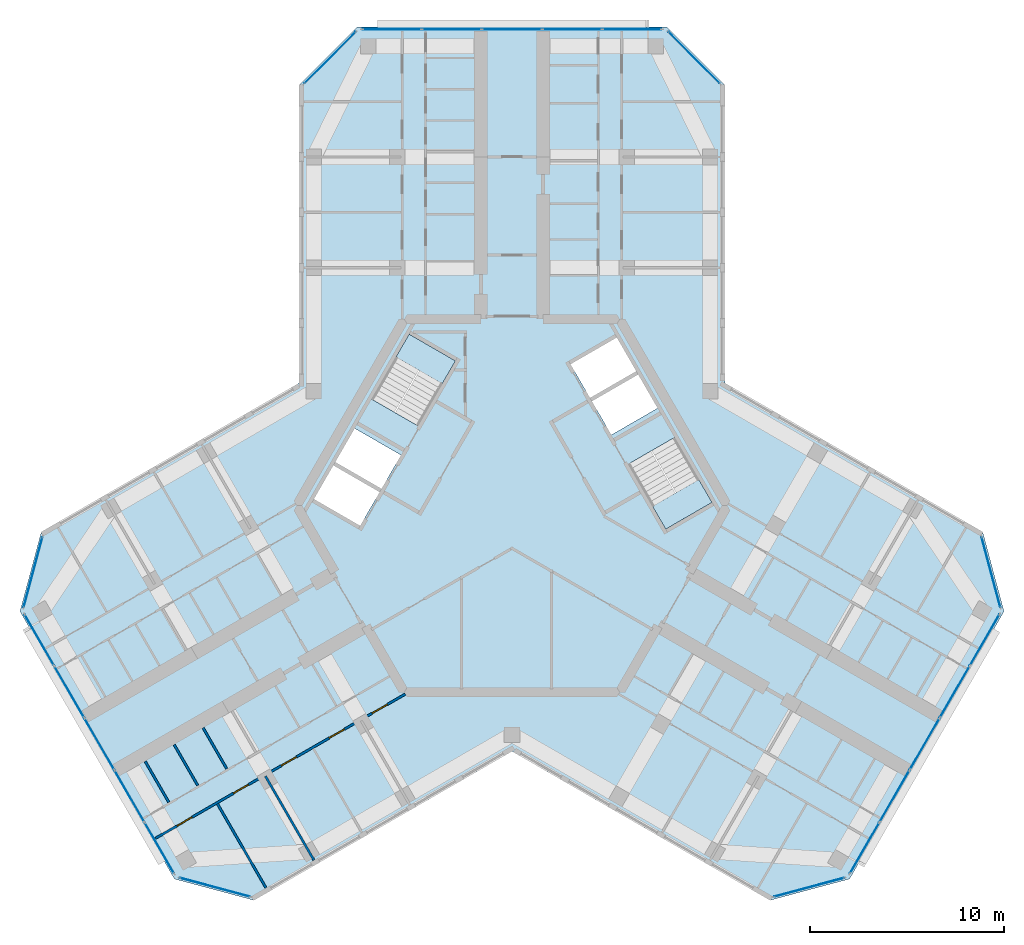
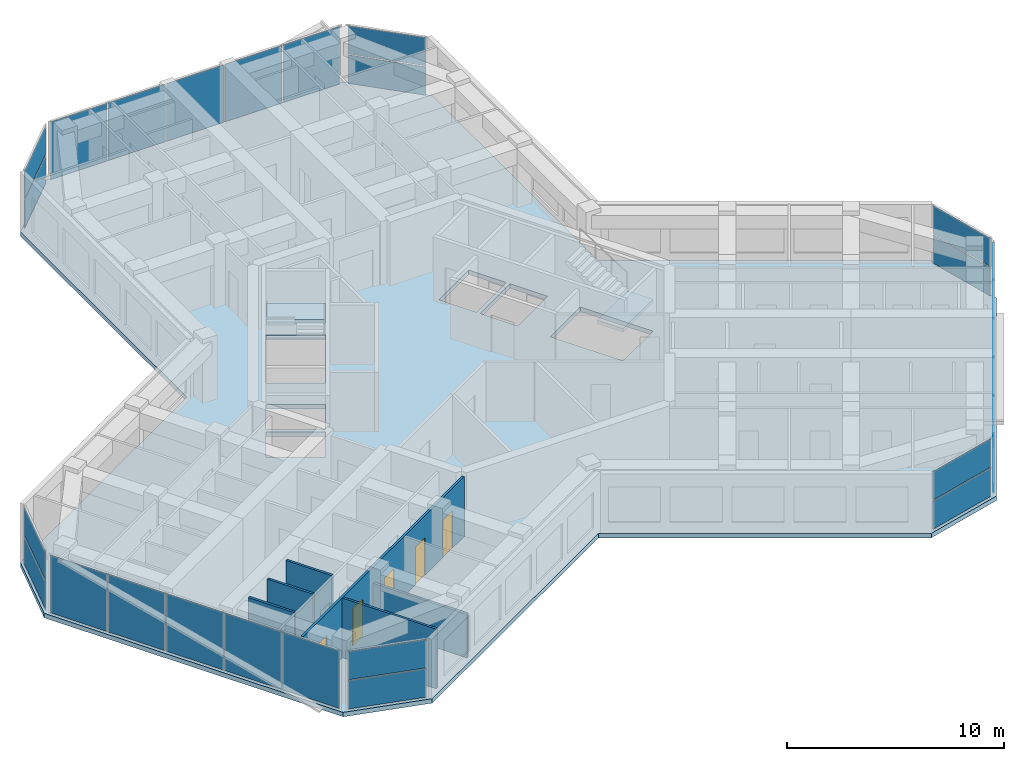
# One storey, part 6 of 14: 27 plates, 6 walls, 5 doors, 3 slabs, 5 openings, 11 elements without a shape of their own.
"""IFC4 building model written with IfcOpenShell, lengths in metres."""

import ifcopenshell
import ifcopenshell.guid

model = None  # the IFC model being written
_history = None  # IfcOwnerHistory: only IFC2X3 demands one
_inside = {}  # id of a spatial element -> (the spatial element, [elements in it])
_under = {}  # id of a project, library or spatial element -> (it, [spatial elements below it])
_declared = {}  # id of a project -> (the project, [libraries it declares])
_typed = {}  # id of a type object -> (the type object, [elements of that type])
_made_of = {}  # id of a material, layer set ... -> (it, [elements and type objects made of it])


def new_model(schema):
    """Start an empty IFC model of exactly this schema.

    Asked for "IFC4X3", IfcOpenShell would pick the latest addendum, in which some entities
    have other attributes; the version numbers below select the first issue.
    IFC2X3 requires an IfcOwnerHistory on every rooted entity: one is made here for all.
    """
    global model, _history
    if schema == "IFC4X3":
        model = ifcopenshell.file(schema_version=(4, 3, 0, 0))
    else:
        model = ifcopenshell.file(schema=schema)
    _inside.clear()
    _under.clear()
    _declared.clear()
    _typed.clear()
    _made_of.clear()
    _history = None
    if model.schema == "IFC2X3":
        org = make("IfcOrganization", Name="unknown")
        user = make(
            "IfcPersonAndOrganization",
            ThePerson=make("IfcPerson", FamilyName="unknown"),
            TheOrganization=org,
        )
        app = make(
            "IfcApplication",
            ApplicationDeveloper=org,
            Version="unknown",
            ApplicationFullName="unknown",
            ApplicationIdentifier="unknown",
        )
        _history = make(
            "IfcOwnerHistory",
            OwningUser=user,
            OwningApplication=app,
            ChangeAction="ADDED",
            CreationDate=0,
        )
    return model


def make(cls, **values):
    """One entity of the class cls with the attributes given. An attribute that is None is left unset."""
    return model.create_entity(
        cls, **{name: value for name, value in values.items() if value is not None}
    )


def rooted(cls, **values):
    """An entity with a GlobalId (a new one), such as an element, a storey or a relation."""
    return make(cls, GlobalId=ifcopenshell.guid.new(), OwnerHistory=_history, **values)


def si_unit(unit_type, name, prefix=None):
    """IfcSIUnit, for example si_unit("LENGTHUNIT", "METRE", prefix="MILLI")."""
    return make("IfcSIUnit", UnitType=unit_type, Prefix=prefix, Name=name)


def assignment(units):
    """IfcUnitAssignment: the units of a project."""
    return None if units is None else make("IfcUnitAssignment", Units=units)


def point(xyz):
    """IfcCartesianPoint."""
    return None if xyz is None else make("IfcCartesianPoint", Coordinates=xyz)


def direction(xyz):
    """IfcDirection."""
    return None if xyz is None else make("IfcDirection", DirectionRatios=xyz)


def frame(location, z_axis=None, x_axis=None):
    """IfcAxis2Placement3D, a coordinate frame: its origin and axes. An axis left out is left unset."""
    return make(
        "IfcAxis2Placement3D",
        Location=point(location),
        Axis=direction(z_axis),
        RefDirection=direction(x_axis),
    )


def frame_2d(location, x_axis=None):
    """IfcAxis2Placement2D, a coordinate frame in the plane: its origin and x axis."""
    return make(
        "IfcAxis2Placement2D", Location=point(location), RefDirection=direction(x_axis)
    )


def origin():
    """The frame at (0, 0, 0) with its axes left unset."""
    return frame((0.0, 0.0, 0.0))


def origin_2d():
    """The frame at (0, 0) in the plane with its x axis left unset."""
    return frame_2d((0.0, 0.0))


def place(relative_to, where):
    """IfcLocalPlacement: puts the frame where relative to a parent placement (None: the world)."""
    return make(
        "IfcLocalPlacement", PlacementRelTo=relative_to, RelativePlacement=where
    )


def context(
    kind, dimensions, precision=None, world=None, true_north=None, identifier=None
):
    """IfcGeometricRepresentationContext, for example the 3D "Model" context."""
    return make(
        "IfcGeometricRepresentationContext",
        ContextIdentifier=identifier,
        ContextType=kind,
        CoordinateSpaceDimension=dimensions,
        Precision=precision,
        WorldCoordinateSystem=world,
        TrueNorth=true_north,
    )


def subcontext(parent, identifier, kind, view, scale=None):
    """IfcGeometricRepresentationSubContext, for example "Body" below "Model"."""
    return make(
        "IfcGeometricRepresentationSubContext",
        ContextIdentifier=identifier,
        ContextType=kind,
        ParentContext=parent,
        TargetScale=scale,
        TargetView=view,
    )


def project(units=None, contexts=None):
    """IfcProject with its units and contexts."""
    return rooted(
        "IfcProject",
        Name="project",
        RepresentationContexts=contexts,
        UnitsInContext=assignment(units),
    )


def spatial(cls, under=None, at=None, **own):
    """A site, building, storey or space (cls), placed at a placement, below another one or the project."""
    s = rooted(cls, ObjectPlacement=at, **own)
    if under is not None:
        _under.setdefault(under.id(), (under, []))[1].append(s)
    return s


def polyline(points):
    """IfcPolyline through the points."""
    return make("IfcPolyline", Points=[point(p) for p in points])


def profile(cls, at=None, kind="AREA", **sizes):
    """A parametric profile (cls). Its sizes go by their IFC names, for example OverallWidth=200.0."""
    return make(cls, ProfileType=kind, Position=at, **sizes)


def rectangle(**sizes):
    """IfcRectangleProfileDef."""
    return profile("IfcRectangleProfileDef", **sizes)


def outline(outer, holes=None, kind="AREA"):
    """IfcArbitraryClosedProfileDef: a profile drawn as a closed curve; with holes, ...WithVoids."""
    if holes is None:
        return make("IfcArbitraryClosedProfileDef", ProfileType=kind, OuterCurve=outer)
    return make(
        "IfcArbitraryProfileDefWithVoids",
        ProfileType=kind,
        OuterCurve=outer,
        InnerCurves=holes,
    )


def extrude(swept, where, along, depth):
    """IfcExtrudedAreaSolid: the profile swept, set in the frame where, extruded along a direction by depth."""
    return make(
        "IfcExtrudedAreaSolid",
        SweptArea=swept,
        Position=where,
        ExtrudedDirection=direction(along),
        Depth=depth,
    )


def shape(context_of_items, identifier, shape_type, items):
    """IfcShapeRepresentation: the items that make up one representation, for example the "Body"."""
    return make(
        "IfcShapeRepresentation",
        ContextOfItems=context_of_items,
        RepresentationIdentifier=identifier,
        RepresentationType=shape_type,
        Items=items,
    )


def material(Name=None, Category=None):
    """IfcMaterial."""
    return make("IfcMaterial", Name=Name, Category=Category)


def layer(
    of_material, thickness, ventilated=None, Name=None, Category=None, Priority=None
):
    """IfcMaterialLayer: one layer of a wall or slab, of a material (None: an air gap)."""
    return make(
        "IfcMaterialLayer",
        Material=of_material,
        LayerThickness=thickness,
        IsVentilated=ventilated,
        Name=Name,
        Category=Category,
        Priority=Priority,
    )


def layer_set(layers, Name=None):
    """IfcMaterialLayerSet."""
    return make("IfcMaterialLayerSet", MaterialLayers=layers, LayerSetName=Name)


def made_of(thing, what):
    """Note that an element or type object is made of a material, layer set ...; save() writes the relation."""
    if what is not None:
        _made_of.setdefault(what.id(), (what, []))[1].append(thing)
    return thing


def type_object(cls, material=None, **own):
    """A type object (cls), such as IfcWallType, which elements share."""
    return made_of(rooted(cls, **own), material)


def element(
    cls,
    number,
    at=None,
    inside=None,
    cuts=None,
    type_object=None,
    material=None,
    context=None,
    identifier="Body",
    shape_type=None,
    held_by="IfcProductDefinitionShape",
    body=None,
    shapes=None,
    **own,
):
    """One element of the class cls, such as IfcWall. Its Tag is "e" and its number.

    at: its placement. inside: the storey or other place that contains it. cuts: it is an
    opening in that element (IfcRelVoidsElement). A single representation is given by context,
    identifier, shape_type and body (its items); several are given by shapes. held_by: the class
    of the entity that holds the representations. save() writes the other relations.
    """
    e = rooted(cls, Tag="e%d" % number, ObjectPlacement=at, **own)
    if body is not None:
        shapes = [shape(context, identifier, shape_type, body)]
    if shapes is not None:
        e.Representation = make(held_by, Representations=shapes)
    if inside is not None:
        _inside.setdefault(inside.id(), (inside, []))[1].append(e)
    if cuts is not None:
        rooted(
            "IfcRelVoidsElement", RelatingBuildingElement=cuts, RelatedOpeningElement=e
        )
    if type_object is not None:
        _typed.setdefault(type_object.id(), (type_object, []))[1].append(e)
    return made_of(e, material)


def fill(opening, filler):
    """IfcRelFillsElement: the door or window that sits in an opening."""
    return rooted(
        "IfcRelFillsElement",
        RelatingOpeningElement=opening,
        RelatedBuildingElement=filler,
    )


def aggregate(whole, parts):
    """IfcRelAggregates: a whole, such as a stair, and the parts it consists of."""
    return rooted("IfcRelAggregates", RelatingObject=whole, RelatedObjects=parts)


def save(model, path):
    """Write the relations noted so far, then the file.

    IfcRelAggregates (storeys below a building ...), IfcRelContainedInSpatialStructure (elements
    in a storey), IfcRelDefinesByType, IfcRelAssociatesMaterial and IfcRelDeclares: one each for
    every whole, place, type object, material and project.
    """
    for whole, parts in _under.values():
        aggregate(whole, parts)
    for where, things in _inside.values():
        rooted(
            "IfcRelContainedInSpatialStructure",
            RelatedElements=things,
            RelatingStructure=where,
        )
    for kind, things in _typed.values():
        rooted("IfcRelDefinesByType", RelatedObjects=things, RelatingType=kind)
    for what, things in _made_of.values():
        rooted("IfcRelAssociatesMaterial", RelatedObjects=things, RelatingMaterial=what)
    for by, libraries in _declared.values():
        rooted("IfcRelDeclares", RelatingContext=by, RelatedDefinitions=libraries)
    model.write(path)


model = new_model("IFC4")

# Units and contexts
model_context = context("Model", 3, precision=1e-05, world=origin(), true_north=direction((0.0, 1.0)))
body_context = subcontext(model_context, "Body", "Model", "MODEL_VIEW")
ifc_project = project(units=[si_unit("LENGTHUNIT", "METRE"), si_unit("AREAUNIT", "SQUARE_METRE"), si_unit("VOLUMEUNIT", "CUBIC_METRE"), si_unit("PLANEANGLEUNIT", "RADIAN"), si_unit("MASSUNIT", "GRAM", prefix="KILO")], contexts=[model_context])

# Site, building, storey
site_placement = place(None, origin())
site = spatial("IfcSite", under=ifc_project, at=site_placement, CompositionType="ELEMENT")
building_placement = place(site_placement, origin())
building = spatial("IfcBuilding", under=site, at=building_placement, Name="Kosmar Iwan School Tower", CompositionType="ELEMENT")
storey_placement = place(building_placement, frame((0.0, 0.0, 289.0)))
storey = spatial("IfcBuildingStorey", under=building, at=storey_placement, Name="L73", CompositionType="ELEMENT", Elevation=289.0)

# Curtain wall, plates
ifc_material_1 = material(Name="Dark glass in black aluminium frame", Category="aluminium")
curtain_wall_type_1 = type_object("IfcCurtainWallType", Name="Chamfer curtain wall dark glass", PredefinedType="USERDEFINED", material=ifc_material_1)
curtain_wall_1_placement = place(storey_placement, origin())
curtain_wall_1 = element("IfcCurtainWall", 1, at=curtain_wall_1_placement, inside=storey, type_object=curtain_wall_type_1, Name="Curtain wall L73-F02", ObjectType="FACETED CURTAIN WALL", PredefinedType="USERDEFINED")
ifc_material_2 = material(Name="Dark glass", Category="glass")
ifc_layer_1 = layer(ifc_material_2, 0.028076171875)
ifc_layer_set_1 = layer_set([ifc_layer_1], Name="Dark glass panel 28")
plate_type = type_object("IfcPlateType", Name="Dark glass panel 28", PredefinedType="CURTAIN_PANEL", material=ifc_layer_set_1)
plate_1_placement = place(storey_placement, frame((15.291015625, -19.63818359375, 0.06005859375), z_axis=(0.0, 0.0, 1.0), x_axis=(0.965925875495, 0.258818861462, 0.0)))
plate_1 = element("IfcPlate", 2, at=plate_1_placement, type_object=plate_type, Name="CW2 panel 1.1", PredefinedType="CURTAIN_PANEL", context=body_context, shape_type="SweptSolid", body=[
    extrude(rectangle(XDim=3.718994140625, YDim=0.028076171875, at=origin_2d()), origin(), (0.0, 0.0, 1.0), 1.5849609375),
])
plate_2_placement = place(storey_placement, frame((15.291015625, -19.63818359375, 1.705078125), z_axis=(0.0, 0.0, 1.0), x_axis=(0.965925875495, 0.258818861462, 0.0)))
plate_2 = element("IfcPlate", 3, at=plate_2_placement, type_object=plate_type, Name="CW2 panel 1.2", PredefinedType="CURTAIN_PANEL", context=body_context, shape_type="SweptSolid", body=[
    extrude(rectangle(XDim=3.718994140625, YDim=0.028076171875, at=origin_2d()), origin(), (0.0, 0.0, 1.0), 1.5849609375),
])
aggregate(curtain_wall_1, [plate_1, plate_2])

ifc_material_3 = material(Name="Dark glass in black aluminium frame", Category="aluminium")
curtain_wall_type_2 = type_object("IfcCurtainWallType", Name="Tower curtain wall dark glass", PredefinedType="USERDEFINED", material=ifc_material_3)
curtain_wall_2_placement = place(storey_placement, origin())
curtain_wall_2 = element("IfcCurtainWall", 4, at=curtain_wall_2_placement, inside=storey, type_object=curtain_wall_type_2, Name="Curtain wall L73-F03", ObjectType="UNITISED CURTAIN WALL", PredefinedType="USERDEFINED")
plate_3_placement = place(storey_placement, frame((18.1474609375, -17.61767578125, 0.06005859375), z_axis=(0.0, 0.0, 1.0), x_axis=(0.499999997325, 0.866025405329, 0.0)))
plate_3 = element("IfcPlate", 5, at=plate_3_placement, type_object=plate_type, Name="CW1 panel 1.1", PredefinedType="CURTAIN_PANEL", context=body_context, shape_type="SweptSolid", body=[
    extrude(rectangle(XDim=3.00927734375, YDim=0.028076171875, at=origin_2d()), origin(), (0.0, 0.0, 1.0), 3.22998046875),
])
plate_4_placement = place(storey_placement, frame((19.689697265625, -14.946533203125, 0.06005859375), z_axis=(0.0, 0.0, 1.0), x_axis=(0.499999997325, 0.866025405329, 0.0)))
plate_4 = element("IfcPlate", 6, at=plate_4_placement, type_object=plate_type, Name="CW1 panel 2.1", PredefinedType="CURTAIN_PANEL", context=body_context, shape_type="SweptSolid", body=[
    extrude(rectangle(XDim=3.039306640625, YDim=0.028076171875, at=origin_2d()), origin(), (0.0, 0.0, 1.0), 3.22998046875),
])
plate_5_placement = place(storey_placement, frame((21.2392578125, -12.262451171875, 0.06005859375), z_axis=(0.0, 0.0, 1.0), x_axis=(0.499999997325, 0.866025405329, 0.0)))
plate_5 = element("IfcPlate", 7, at=plate_5_placement, type_object=plate_type, Name="CW1 panel 3.1", PredefinedType="CURTAIN_PANEL", context=body_context, shape_type="SweptSolid", body=[
    extrude(rectangle(XDim=3.039306640625, YDim=0.028076171875, at=origin_2d()), origin(), (0.0, 0.0, 1.0), 3.22998046875),
])
plate_6_placement = place(storey_placement, frame((22.788818359375, -9.578369140625, 0.06005859375), z_axis=(0.0, 0.0, 1.0), x_axis=(0.499999997325, 0.866025405329, 0.0)))
plate_6 = element("IfcPlate", 8, at=plate_6_placement, type_object=plate_type, Name="CW1 panel 4.1", PredefinedType="CURTAIN_PANEL", context=body_context, shape_type="SweptSolid", body=[
    extrude(rectangle(XDim=3.039306640625, YDim=0.028076171875, at=origin_2d()), origin(), (0.0, 0.0, 1.0), 3.22998046875),
])
plate_7_placement = place(storey_placement, frame((24.3310546875, -6.907470703125, 0.06005859375), z_axis=(0.0, 0.0, 1.0), x_axis=(0.499999997325, 0.866025405329, 0.0)))
plate_7 = element("IfcPlate", 9, at=plate_7_placement, type_object=plate_type, Name="CW1 panel 5.1", PredefinedType="CURTAIN_PANEL", context=body_context, shape_type="SweptSolid", body=[
    extrude(rectangle(XDim=3.00927734375, YDim=0.028076171875, at=origin_2d()), origin(), (0.0, 0.0, 1.0), 3.22998046875),
])
aggregate(curtain_wall_2, [plate_3, plate_4, plate_5, plate_6, plate_7])

curtain_wall_3_placement = place(storey_placement, origin())
curtain_wall_3 = element("IfcCurtainWall", 10, at=curtain_wall_3_placement, inside=storey, type_object=curtain_wall_type_1, Name="Curtain wall L73-F04", ObjectType="FACETED CURTAIN WALL", PredefinedType="USERDEFINED")
plate_8_placement = place(storey_placement, frame((24.65283203125, -3.42333984375, 0.06005859375), z_axis=(0.0, 0.0, 1.0), x_axis=(-0.258818861462, 0.965925875495, 0.0)))
plate_8 = element("IfcPlate", 11, at=plate_8_placement, type_object=plate_type, Name="CW2 panel 1.1", PredefinedType="CURTAIN_PANEL", context=body_context, shape_type="SweptSolid", body=[
    extrude(rectangle(XDim=3.718994140625, YDim=0.028076171875, at=origin_2d()), origin(), (0.0, 0.0, 1.0), 1.5849609375),
])
plate_9_placement = place(storey_placement, frame((24.65283203125, -3.42333984375, 1.705078125), z_axis=(0.0, 0.0, 1.0), x_axis=(-0.258818861462, 0.965925875495, 0.0)))
plate_9 = element("IfcPlate", 12, at=plate_9_placement, type_object=plate_type, Name="CW2 panel 1.2", PredefinedType="CURTAIN_PANEL", context=body_context, shape_type="SweptSolid", body=[
    extrude(rectangle(XDim=3.718994140625, YDim=0.028076171875, at=origin_2d()), origin(), (0.0, 0.0, 1.0), 1.5849609375),
])
aggregate(curtain_wall_3, [plate_8, plate_9])

curtain_wall_4_placement = place(storey_placement, origin())
curtain_wall_4 = element("IfcCurtainWall", 13, at=curtain_wall_4_placement, inside=storey, type_object=curtain_wall_type_1, Name="Curtain wall L73-F07", ObjectType="FACETED CURTAIN WALL", PredefinedType="USERDEFINED")
plate_10_placement = place(storey_placement, frame((9.361572265625, 23.0615234375, 0.06005859375), z_axis=(0.0, 0.0, 1.0), x_axis=(-0.707106781187, 0.707106781187, 0.0)))
plate_10 = element("IfcPlate", 14, at=plate_10_placement, type_object=plate_type, Name="CW2 panel 1.1", PredefinedType="CURTAIN_PANEL", context=body_context, shape_type="SweptSolid", body=[
    extrude(rectangle(XDim=3.718994140625, YDim=0.028076171875, at=origin_2d()), origin(), (0.0, 0.0, 1.0), 1.5849609375),
])
plate_11_placement = place(storey_placement, frame((9.361572265625, 23.0615234375, 1.705078125), z_axis=(0.0, 0.0, 1.0), x_axis=(-0.707106781187, 0.707106781187, 0.0)))
plate_11 = element("IfcPlate", 15, at=plate_11_placement, type_object=plate_type, Name="CW2 panel 1.2", PredefinedType="CURTAIN_PANEL", context=body_context, shape_type="SweptSolid", body=[
    extrude(rectangle(XDim=3.718994140625, YDim=0.028076171875, at=origin_2d()), origin(), (0.0, 0.0, 1.0), 1.5849609375),
])
aggregate(curtain_wall_4, [plate_10, plate_11])

curtain_wall_5_placement = place(storey_placement, origin())
curtain_wall_5 = element("IfcCurtainWall", 16, at=curtain_wall_5_placement, inside=storey, type_object=curtain_wall_type_2, Name="Curtain wall L73-F08", ObjectType="UNITISED CURTAIN WALL", PredefinedType="USERDEFINED")
plate_12_placement = place(storey_placement, frame((6.18359375, 24.52490234375, 0.06005859375), z_axis=(0.0, 0.0, 1.0), x_axis=(-1.0, 0.0, 0.0)))
plate_12 = element("IfcPlate", 17, at=plate_12_placement, type_object=plate_type, Name="CW1 panel 1.1", PredefinedType="CURTAIN_PANEL", context=body_context, shape_type="SweptSolid", body=[
    extrude(rectangle(XDim=3.00927734375, YDim=0.028076171875, at=origin_2d()), origin(), (0.0, 0.0, 1.0), 3.22998046875),
])
plate_13_placement = place(storey_placement, frame((3.099365234375, 24.52490234375, 0.06005859375), z_axis=(0.0, 0.0, 1.0), x_axis=(-1.0, 0.0, 0.0)))
plate_13 = element("IfcPlate", 18, at=plate_13_placement, type_object=plate_type, Name="CW1 panel 2.1", PredefinedType="CURTAIN_PANEL", context=body_context, shape_type="SweptSolid", body=[
    extrude(rectangle(XDim=3.039306640625, YDim=0.028076171875, at=origin_2d()), origin(), (0.0, 0.0, 1.0), 3.22998046875),
])
plate_14_placement = place(storey_placement, frame((0.0, 24.52490234375, 0.06005859375), z_axis=(0.0, 0.0, 1.0), x_axis=(-1.0, 0.0, 0.0)))
plate_14 = element("IfcPlate", 19, at=plate_14_placement, type_object=plate_type, Name="CW1 panel 3.1", PredefinedType="CURTAIN_PANEL", context=body_context, shape_type="SweptSolid", body=[
    extrude(rectangle(XDim=3.039306640625, YDim=0.028076171875, at=origin_2d()), origin(), (0.0, 0.0, 1.0), 3.22998046875),
])
plate_15_placement = place(storey_placement, frame((-3.099365234375, 24.52490234375, 0.06005859375), z_axis=(0.0, 0.0, 1.0), x_axis=(-1.0, 0.0, 0.0)))
plate_15 = element("IfcPlate", 20, at=plate_15_placement, type_object=plate_type, Name="CW1 panel 4.1", PredefinedType="CURTAIN_PANEL", context=body_context, shape_type="SweptSolid", body=[
    extrude(rectangle(XDim=3.039306640625, YDim=0.028076171875, at=origin_2d()), origin(), (0.0, 0.0, 1.0), 3.22998046875),
])
plate_16_placement = place(storey_placement, frame((-6.18359375, 24.52490234375, 0.06005859375), z_axis=(0.0, 0.0, 1.0), x_axis=(-1.0, 0.0, 0.0)))
plate_16 = element("IfcPlate", 21, at=plate_16_placement, type_object=plate_type, Name="CW1 panel 5.1", PredefinedType="CURTAIN_PANEL", context=body_context, shape_type="SweptSolid", body=[
    extrude(rectangle(XDim=3.00927734375, YDim=0.028076171875, at=origin_2d()), origin(), (0.0, 0.0, 1.0), 3.22998046875),
])
aggregate(curtain_wall_5, [plate_12, plate_13, plate_14, plate_15, plate_16])

curtain_wall_6_placement = place(storey_placement, origin())
curtain_wall_6 = element("IfcCurtainWall", 22, at=curtain_wall_6_placement, inside=storey, type_object=curtain_wall_type_1, Name="Curtain wall L73-F09", ObjectType="FACETED CURTAIN WALL", PredefinedType="USERDEFINED")
plate_17_placement = place(storey_placement, frame((-9.361572265625, 23.0615234375, 0.06005859375), z_axis=(0.0, 0.0, 1.0), x_axis=(-0.707106781187, -0.707106781187, 0.0)))
plate_17 = element("IfcPlate", 23, at=plate_17_placement, type_object=plate_type, Name="CW2 panel 1.1", PredefinedType="CURTAIN_PANEL", context=body_context, shape_type="SweptSolid", body=[
    extrude(rectangle(XDim=3.718994140625, YDim=0.028076171875, at=origin_2d()), origin(), (0.0, 0.0, 1.0), 1.5849609375),
])
plate_18_placement = place(storey_placement, frame((-9.361572265625, 23.0615234375, 1.705078125), z_axis=(0.0, 0.0, 1.0), x_axis=(-0.707106781187, -0.707106781187, 0.0)))
plate_18 = element("IfcPlate", 24, at=plate_18_placement, type_object=plate_type, Name="CW2 panel 1.2", PredefinedType="CURTAIN_PANEL", context=body_context, shape_type="SweptSolid", body=[
    extrude(rectangle(XDim=3.718994140625, YDim=0.028076171875, at=origin_2d()), origin(), (0.0, 0.0, 1.0), 1.5849609375),
])
aggregate(curtain_wall_6, [plate_17, plate_18])

curtain_wall_7_placement = place(storey_placement, origin())
curtain_wall_7 = element("IfcCurtainWall", 25, at=curtain_wall_7_placement, inside=storey, type_object=curtain_wall_type_1, Name="Curtain wall L73-F12", ObjectType="FACETED CURTAIN WALL", PredefinedType="USERDEFINED")
plate_19_placement = place(storey_placement, frame((-24.65283203125, -3.42333984375, 0.06005859375), z_axis=(0.0, 0.0, 1.0), x_axis=(-0.258818861462, -0.965925875495, 0.0)))
plate_19 = element("IfcPlate", 26, at=plate_19_placement, type_object=plate_type, Name="CW2 panel 1.1", PredefinedType="CURTAIN_PANEL", context=body_context, shape_type="SweptSolid", body=[
    extrude(rectangle(XDim=3.718994140625, YDim=0.028076171875, at=origin_2d()), origin(), (0.0, 0.0, 1.0), 1.5849609375),
])
plate_20_placement = place(storey_placement, frame((-24.65283203125, -3.42333984375, 1.705078125), z_axis=(0.0, 0.0, 1.0), x_axis=(-0.258818861462, -0.965925875495, 0.0)))
plate_20 = element("IfcPlate", 27, at=plate_20_placement, type_object=plate_type, Name="CW2 panel 1.2", PredefinedType="CURTAIN_PANEL", context=body_context, shape_type="SweptSolid", body=[
    extrude(rectangle(XDim=3.718994140625, YDim=0.028076171875, at=origin_2d()), origin(), (0.0, 0.0, 1.0), 1.5849609375),
])
aggregate(curtain_wall_7, [plate_19, plate_20])

curtain_wall_8_placement = place(storey_placement, origin())
curtain_wall_8 = element("IfcCurtainWall", 28, at=curtain_wall_8_placement, inside=storey, type_object=curtain_wall_type_2, Name="Curtain wall L73-F13", ObjectType="UNITISED CURTAIN WALL", PredefinedType="USERDEFINED")
plate_21_placement = place(storey_placement, frame((-24.3310546875, -6.907470703125, 0.06005859375), z_axis=(0.0, 0.0, 1.0), x_axis=(0.499999997325, -0.866025405329, 0.0)))
plate_21 = element("IfcPlate", 29, at=plate_21_placement, type_object=plate_type, Name="CW1 panel 1.1", PredefinedType="CURTAIN_PANEL", context=body_context, shape_type="SweptSolid", body=[
    extrude(rectangle(XDim=3.00927734375, YDim=0.028076171875, at=origin_2d()), origin(), (0.0, 0.0, 1.0), 3.22998046875),
])
plate_22_placement = place(storey_placement, frame((-22.788818359375, -9.578369140625, 0.06005859375), z_axis=(0.0, 0.0, 1.0), x_axis=(0.499999997325, -0.866025405329, 0.0)))
plate_22 = element("IfcPlate", 30, at=plate_22_placement, type_object=plate_type, Name="CW1 panel 2.1", PredefinedType="CURTAIN_PANEL", context=body_context, shape_type="SweptSolid", body=[
    extrude(rectangle(XDim=3.039306640625, YDim=0.028076171875, at=origin_2d()), origin(), (0.0, 0.0, 1.0), 3.22998046875),
])
plate_23_placement = place(storey_placement, frame((-21.2392578125, -12.262451171875, 0.06005859375), z_axis=(0.0, 0.0, 1.0), x_axis=(0.499999997325, -0.866025405329, 0.0)))
plate_23 = element("IfcPlate", 31, at=plate_23_placement, type_object=plate_type, Name="CW1 panel 3.1", PredefinedType="CURTAIN_PANEL", context=body_context, shape_type="SweptSolid", body=[
    extrude(rectangle(XDim=3.039306640625, YDim=0.028076171875, at=origin_2d()), origin(), (0.0, 0.0, 1.0), 3.22998046875),
])
plate_24_placement = place(storey_placement, frame((-19.689697265625, -14.946533203125, 0.06005859375), z_axis=(0.0, 0.0, 1.0), x_axis=(0.499999997325, -0.866025405329, 0.0)))
plate_24 = element("IfcPlate", 32, at=plate_24_placement, type_object=plate_type, Name="CW1 panel 4.1", PredefinedType="CURTAIN_PANEL", context=body_context, shape_type="SweptSolid", body=[
    extrude(rectangle(XDim=3.039306640625, YDim=0.028076171875, at=origin_2d()), origin(), (0.0, 0.0, 1.0), 3.22998046875),
])
plate_25_placement = place(storey_placement, frame((-18.1474609375, -17.61767578125, 0.06005859375), z_axis=(0.0, 0.0, 1.0), x_axis=(0.499999997325, -0.866025405329, 0.0)))
plate_25 = element("IfcPlate", 33, at=plate_25_placement, type_object=plate_type, Name="CW1 panel 5.1", PredefinedType="CURTAIN_PANEL", context=body_context, shape_type="SweptSolid", body=[
    extrude(rectangle(XDim=3.00927734375, YDim=0.028076171875, at=origin_2d()), origin(), (0.0, 0.0, 1.0), 3.22998046875),
])
aggregate(curtain_wall_8, [plate_21, plate_22, plate_23, plate_24, plate_25])

curtain_wall_9_placement = place(storey_placement, origin())
curtain_wall_9 = element("IfcCurtainWall", 34, at=curtain_wall_9_placement, inside=storey, type_object=curtain_wall_type_1, Name="Curtain wall L73-F14", ObjectType="FACETED CURTAIN WALL", PredefinedType="USERDEFINED")
plate_26_placement = place(storey_placement, frame((-15.291015625, -19.63818359375, 0.06005859375), z_axis=(0.0, 0.0, 1.0), x_axis=(0.965925875495, -0.258818861462, 0.0)))
plate_26 = element("IfcPlate", 35, at=plate_26_placement, type_object=plate_type, Name="CW2 panel 1.1", PredefinedType="CURTAIN_PANEL", context=body_context, shape_type="SweptSolid", body=[
    extrude(rectangle(XDim=3.718994140625, YDim=0.028076171875, at=origin_2d()), origin(), (0.0, 0.0, 1.0), 1.5849609375),
])
plate_27_placement = place(storey_placement, frame((-15.291015625, -19.63818359375, 1.705078125), z_axis=(0.0, 0.0, 1.0), x_axis=(0.965925875495, -0.258818861462, 0.0)))
plate_27 = element("IfcPlate", 36, at=plate_27_placement, type_object=plate_type, Name="CW2 panel 1.2", PredefinedType="CURTAIN_PANEL", context=body_context, shape_type="SweptSolid", body=[
    extrude(rectangle(XDim=3.718994140625, YDim=0.028076171875, at=origin_2d()), origin(), (0.0, 0.0, 1.0), 1.5849609375),
])
aggregate(curtain_wall_9, [plate_26, plate_27])

# Slab
ifc_material_4 = material(Name="Concrete C35/45", Category="concrete")
ifc_layer_2 = layer(ifc_material_4, 0.25)
ifc_layer_set_2 = layer_set([ifc_layer_2], Name="Floor slab 250")
slab_type_1 = type_object("IfcSlabType", Name="Floor slab 250", PredefinedType="FLOOR", material=ifc_layer_set_2)
slab_1_placement = place(storey_placement, frame((0.0, 0.0, -0.25)))
element("IfcSlab", 37, at=slab_1_placement, inside=storey, type_object=slab_type_1, Name="L73 floor slab", PredefinedType="FLOOR", context=body_context, shape_type="SweptSolid", body=[
    extrude(outline(polyline([(-13.2744140625, -20.307861328125), (0.0, -12.64404296875), (13.2744140625, -20.307861328125), (17.37255859375, -19.2099609375), (25.322509765625, -5.440185546875), (24.224365234375, -1.342041015625), (10.949951171875, 6.322021484375), (10.949951171875, 21.64990234375), (7.949951171875, 24.64990234375), (-7.949951171875, 24.64990234375), (-10.949951171875, 21.64990234375), (-10.949951171875, 6.322021484375), (-24.224365234375, -1.342041015625), (-25.322509765625, -5.440185546875), (-17.37255859375, -19.2099609375), (-13.2744140625, -20.307861328125)]), holes=[polyline([(7.91259765625, -1.205078125), (10.294189453125, 0.169921875), (8.3642578125, 3.5126953125), (5.982666015625, 2.1376953125), (7.91259765625, -1.205078125)]), polyline([(-2.91259765625, 7.455078125), (-5.294189453125, 8.830078125), (-7.22412109375, 5.4873046875), (-4.8427734375, 4.1123046875), (-2.91259765625, 7.455078125)]), polyline([(-5.712646484375, 2.60546875), (-8.09423828125, 3.98046875), (-9.09423828125, 2.248291015625), (-6.712646484375, 0.873291015625), (-5.712646484375, 2.60546875)]), polyline([(-6.812744140625, 0.7001953125), (-9.1943359375, 2.0751953125), (-10.1943359375, 0.343017578125), (-7.812744140625, -1.031982421875), (-6.812744140625, 0.7001953125)]), polyline([(5.112548828125, 3.64453125), (7.494140625, 5.01953125), (6.494140625, 6.751708984375), (4.112548828125, 5.376708984375), (5.112548828125, 3.64453125)]), polyline([(4.0126953125, 5.5498046875), (6.394287109375, 6.9248046875), (5.394287109375, 8.656982421875), (3.0126953125, 7.281982421875), (4.0126953125, 5.5498046875)])]), origin(), (0.0, 0.0, 1.0), 0.25),
])

# Stair, slab
ifc_material_5 = material(Name="Concrete C35/45", Category="concrete")
stair_type = type_object("IfcStairType", Name="Core stair 2750", PredefinedType="HALF_TURN_STAIR", material=ifc_material_5)
stair_1_placement = place(storey_placement, origin())
stair_1 = element("IfcStair", 38, at=stair_1_placement, inside=storey, type_object=stair_type, Name="Stair ST2 L73", PredefinedType="HALF_TURN_STAIR")
ifc_material_6 = material(Name="Concrete C35/45", Category="concrete")
ifc_layer_3 = layer(ifc_material_6, 0.199951171875)
ifc_layer_set_3 = layer_set([ifc_layer_3], Name="Stair landing 200")
slab_type_2 = type_object("IfcSlabType", Name="Stair landing 200", PredefinedType="LANDING", material=ifc_layer_set_3)
slab_2_placement = place(storey_placement, frame((0.0, 0.0, 1.60009765625)))
slab_2 = element("IfcSlab", 39, at=slab_2_placement, type_object=slab_type_2, Name="ST2 landing 1", PredefinedType="LANDING", context=body_context, shape_type="SweptSolid", body=[
    extrude(outline(polyline([(-2.91259765625, 7.455078125), (-5.294189453125, 8.830078125), (-5.97412109375, 7.65234375), (-3.5927734375, 6.27734375), (-2.91259765625, 7.455078125)])), origin(), (0.0, 0.0, 1.0), 0.199951171875),
])
aggregate(stair_1, [slab_2])

stair_2_placement = place(storey_placement, origin())
stair_2 = element("IfcStair", 40, at=stair_2_placement, inside=storey, type_object=stair_type, Name="Stair ST1 L73", PredefinedType="HALF_TURN_STAIR")
slab_3_placement = place(storey_placement, frame((0.0, 0.0, 1.60009765625)))
slab_3 = element("IfcSlab", 41, at=slab_3_placement, type_object=slab_type_2, Name="ST1 landing 1", PredefinedType="LANDING", context=body_context, shape_type="SweptSolid", body=[
    extrude(outline(polyline([(7.91259765625, -1.205078125), (10.294189453125, 0.169921875), (9.6142578125, 1.34765625), (7.232666015625, -0.02734375), (7.91259765625, -1.205078125)])), origin(), (0.0, 0.0, 1.0), 0.199951171875),
])
aggregate(stair_2, [slab_3])

# Wall, openings, doors
ifc_material_7 = material(Name="Gypsum board on steel studs", Category="steel")
ifc_layer_4 = layer(ifc_material_7, 0.1201171875)
ifc_layer_set_4 = layer_set([ifc_layer_4], Name="Dwelling partition 120")
wall_type = type_object("IfcWallType", Name="Dwelling partition 120", PredefinedType="PARTITIONING", material=ifc_layer_set_4)
wall_1_placement = place(storey_placement, frame((-5.48876953125, -9.693115234375, 0.0), z_axis=(0.0, 0.0, 1.0), x_axis=(-0.866030301974, -0.499991515992, 0.0)))
wall_1 = element("IfcWall", 42, at=wall_1_placement, inside=storey, type_object=wall_type, Name="Partition L73-BL1-W2", PredefinedType="PARTITIONING", context=body_context, shape_type="SweptSolid", body=[
    extrude(rectangle(XDim=14.844970703125, YDim=0.1201171875, at=frame_2d((7.42236328125, 0.0))), origin(), (0.0, 0.0, 1.0), 3.35009765625),
])
opening_1_placement = place(wall_1_placement, frame((1.074951171875, 0.0, 0.0)))
opening_1 = element("IfcOpeningElement", 43, at=opening_1_placement, cuts=wall_1, Name="Opening D2", PredefinedType="OPENING", context=body_context, shape_type="SweptSolid", body=[
    extrude(rectangle(XDim=0.89990234375, YDim=2.10009765625, at=frame_2d((0.449951171875, 1.050048828125))), frame((0.0, 0.072021484375, 0.0), z_axis=(0.0, -1.0, 0.0), x_axis=(1.0, 0.0, 0.0)), (0.0, 0.0, 1.0), 0.14404296875),
])
opening_2_placement = place(wall_1_placement, frame((3.625, 0.0, 0.0)))
opening_2 = element("IfcOpeningElement", 44, at=opening_2_placement, cuts=wall_1, Name="Opening D2", PredefinedType="OPENING", context=body_context, shape_type="SweptSolid", body=[
    extrude(rectangle(XDim=0.89990234375, YDim=2.10009765625, at=frame_2d((0.449951171875, 1.050048828125))), frame((0.0, 0.072021484375, 0.0), z_axis=(0.0, -1.0, 0.0), x_axis=(1.0, 0.0, 0.0)), (0.0, 0.0, 1.0), 0.14404296875),
])
opening_3_placement = place(wall_1_placement, frame((6.47509765625, 0.0, 0.0)))
opening_3 = element("IfcOpeningElement", 45, at=opening_3_placement, cuts=wall_1, Name="Opening D2", PredefinedType="OPENING", context=body_context, shape_type="SweptSolid", body=[
    extrude(rectangle(XDim=0.89990234375, YDim=2.10009765625, at=frame_2d((0.449951171875, 1.050048828125))), frame((0.0, 0.072021484375, 0.0), z_axis=(0.0, -1.0, 0.0), x_axis=(1.0, 0.0, 0.0)), (0.0, 0.0, 1.0), 0.14404296875),
])
opening_4_placement = place(wall_1_placement, frame((9.324951171875, 0.0, 0.0)))
opening_4 = element("IfcOpeningElement", 46, at=opening_4_placement, cuts=wall_1, Name="Opening D2", PredefinedType="OPENING", context=body_context, shape_type="SweptSolid", body=[
    extrude(rectangle(XDim=0.89990234375, YDim=2.10009765625, at=frame_2d((0.449951171875, 1.050048828125))), frame((0.0, 0.072021484375, 0.0), z_axis=(0.0, -1.0, 0.0), x_axis=(1.0, 0.0, 0.0)), (0.0, 0.0, 1.0), 0.14404296875),
])
opening_5_placement = place(wall_1_placement, frame((12.675048828125, 0.0, 0.0)))
opening_5 = element("IfcOpeningElement", 47, at=opening_5_placement, cuts=wall_1, Name="Opening D2", PredefinedType="OPENING", context=body_context, shape_type="SweptSolid", body=[
    extrude(rectangle(XDim=0.89990234375, YDim=2.10009765625, at=frame_2d((0.449951171875, 1.050048828125))), frame((0.0, 0.072021484375, 0.0), z_axis=(0.0, -1.0, 0.0), x_axis=(1.0, 0.0, 0.0)), (0.0, 0.0, 1.0), 0.14404296875),
])
ifc_material_8 = material(Name="Timber door in timber frame", Category="wood")
door_type = type_object("IfcDoorType", Name="Internal door 900x2100", OperationType="SINGLE_SWING_LEFT", PredefinedType="DOOR", material=ifc_material_8)
door_1_placement = place(opening_1_placement, origin())
door_1 = element("IfcDoor", 48, at=door_1_placement, inside=storey, type_object=door_type, Name="Living room and kitchen door L73-BL1-F1", OperationType="SINGLE_SWING_RIGHT", OverallHeight=2.10009765625, OverallWidth=0.89990234375, PredefinedType="DOOR", context=body_context, shape_type="SweptSolid", body=[
    extrude(rectangle(XDim=0.89990234375, YDim=2.10009765625, at=frame_2d((0.449951171875, 1.050048828125))), frame((0.0, 0.02490234375, 0.0), z_axis=(0.0, -1.0, 0.0), x_axis=(1.0, 0.0, 0.0)), (0.0, 0.0, 1.0), 0.050048828125),
])
fill(opening_1, door_1)
door_2_placement = place(opening_2_placement, origin())
door_2 = element("IfcDoor", 49, at=door_2_placement, inside=storey, type_object=door_type, Name="Study door L73-BL1-F2", OperationType="SINGLE_SWING_LEFT", OverallHeight=2.10009765625, OverallWidth=0.89990234375, PredefinedType="DOOR", context=body_context, shape_type="SweptSolid", body=[
    extrude(rectangle(XDim=0.89990234375, YDim=2.10009765625, at=frame_2d((0.449951171875, 1.050048828125))), frame((0.0, 0.02490234375, 0.0), z_axis=(0.0, -1.0, 0.0), x_axis=(1.0, 0.0, 0.0)), (0.0, 0.0, 1.0), 0.050048828125),
])
fill(opening_2, door_2)
door_3_placement = place(opening_3_placement, origin())
door_3 = element("IfcDoor", 50, at=door_3_placement, inside=storey, type_object=door_type, Name="Bedroom 2 door L73-BL1-F3", OperationType="SINGLE_SWING_RIGHT", OverallHeight=2.10009765625, OverallWidth=0.89990234375, PredefinedType="DOOR", context=body_context, shape_type="SweptSolid", body=[
    extrude(rectangle(XDim=0.89990234375, YDim=2.10009765625, at=frame_2d((0.449951171875, 1.050048828125))), frame((0.0, 0.02490234375, 0.0), z_axis=(0.0, -1.0, 0.0), x_axis=(1.0, 0.0, 0.0)), (0.0, 0.0, 1.0), 0.050048828125),
])
fill(opening_3, door_3)
door_4_placement = place(opening_4_placement, origin())
door_4 = element("IfcDoor", 51, at=door_4_placement, inside=storey, type_object=door_type, Name="Dining room door L73-BL1-F4", OperationType="SINGLE_SWING_LEFT", OverallHeight=2.10009765625, OverallWidth=0.89990234375, PredefinedType="DOOR", context=body_context, shape_type="SweptSolid", body=[
    extrude(rectangle(XDim=0.89990234375, YDim=2.10009765625, at=frame_2d((0.449951171875, 1.050048828125))), frame((0.0, 0.02490234375, 0.0), z_axis=(0.0, -1.0, 0.0), x_axis=(1.0, 0.0, 0.0)), (0.0, 0.0, 1.0), 0.050048828125),
])
fill(opening_4, door_4)
door_5_placement = place(opening_5_placement, origin())
door_5 = element("IfcDoor", 52, at=door_5_placement, inside=storey, type_object=door_type, Name="Bedroom 1 door L73-BL1-F5", OperationType="SINGLE_SWING_RIGHT", OverallHeight=2.10009765625, OverallWidth=0.89990234375, PredefinedType="DOOR", context=body_context, shape_type="SweptSolid", body=[
    extrude(rectangle(XDim=0.89990234375, YDim=2.10009765625, at=frame_2d((0.449951171875, 1.050048828125))), frame((0.0, 0.02490234375, 0.0), z_axis=(0.0, -1.0, 0.0), x_axis=(1.0, 0.0, 0.0)), (0.0, 0.0, 1.0), 0.050048828125),
])
fill(opening_5, door_5)

# Walls
wall_2_placement = place(storey_placement, frame((-12.690185546875, -13.919921875, 0.0), z_axis=(0.0, 0.0, 1.0), x_axis=(0.500011847778, -0.866018563358, 0.0)))
element("IfcWall", 53, at=wall_2_placement, inside=storey, type_object=wall_type, Name="Partition L73-BL1-X3", PredefinedType="PARTITIONING", context=body_context, shape_type="SweptSolid", body=[
    extrude(rectangle(XDim=4.990234375, YDim=0.1201171875, at=frame_2d((2.4951171875, 0.0))), origin(), (0.0, 0.0, 1.0), 2.449951171875),
])
wall_3_placement = place(storey_placement, frame((-15.158447265625, -15.344970703125, 0.0), z_axis=(0.0, 0.0, 1.0), x_axis=(0.500011847778, -0.866018563358, 0.0)))
element("IfcWall", 54, at=wall_3_placement, inside=storey, type_object=wall_type, Name="Partition L73-BL1-X4", PredefinedType="PARTITIONING", context=body_context, shape_type="SweptSolid", body=[
    extrude(rectangle(XDim=4.990234375, YDim=0.1201171875, at=frame_2d((2.4951171875, 0.0))), origin(), (0.0, 0.0, 1.0), 3.35009765625),
])
wall_4_placement = place(storey_placement, frame((-15.899169921875, -11.430908203125, 0.0), z_axis=(0.0, 0.0, 1.0), x_axis=(0.499959183527, -0.866048967903, 0.0)))
element("IfcWall", 55, at=wall_4_placement, inside=storey, type_object=wall_type, Name="Partition L73-BL1-Y4", PredefinedType="PARTITIONING", context=body_context, shape_type="SweptSolid", body=[
    extrude(rectangle(XDim=2.440185546875, YDim=0.1201171875, at=frame_2d((1.22021484375, 0.0))), origin(), (0.0, 0.0, 1.0), 3.35009765625),
])
for number, where, z_axis, x_axis, name in (
    (56, (-17.39013671875, -12.2919921875, 0.0), (0.0, 0.0, 1.0), (0.500002508028, -0.866023955769, 0.0), "Partition L73-BL1-Y5"),
    (57, (-18.88134765625, -13.15283203125, 0.0), (0.0, 0.0, 1.0), (0.500002508028, -0.866023955769, 0.0), "Partition L73-BL1-Y6"),
):
    element("IfcWall", number, at=place(storey_placement, frame(where, z_axis=z_axis, x_axis=x_axis)), inside=storey, type_object=wall_type, Name=name, PredefinedType="PARTITIONING", context=body_context, shape_type="SweptSolid", body=[
        extrude(rectangle(XDim=2.43994140625, YDim=0.1201171875, at=frame_2d((1.219970703125, 0.0))), origin(), (0.0, 0.0, 1.0), 3.35009765625),
    ])

save(model, "model.ifc")
